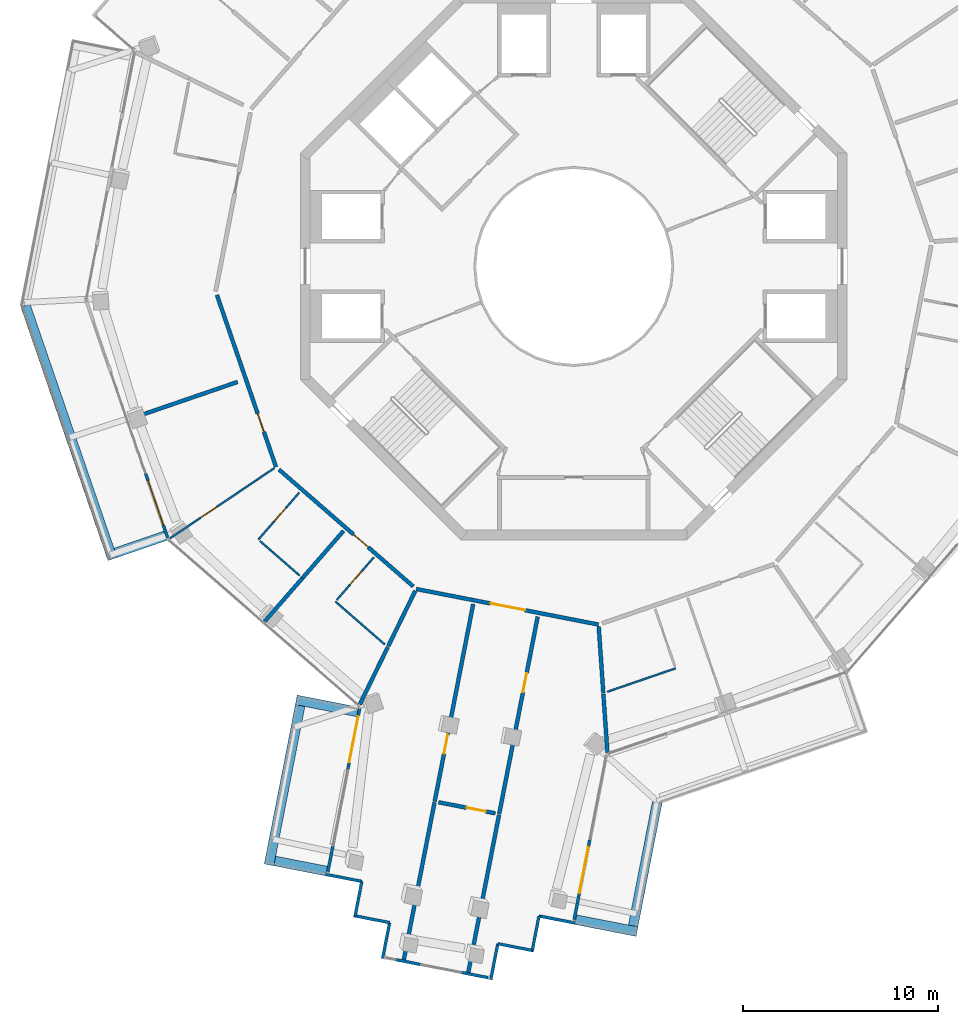
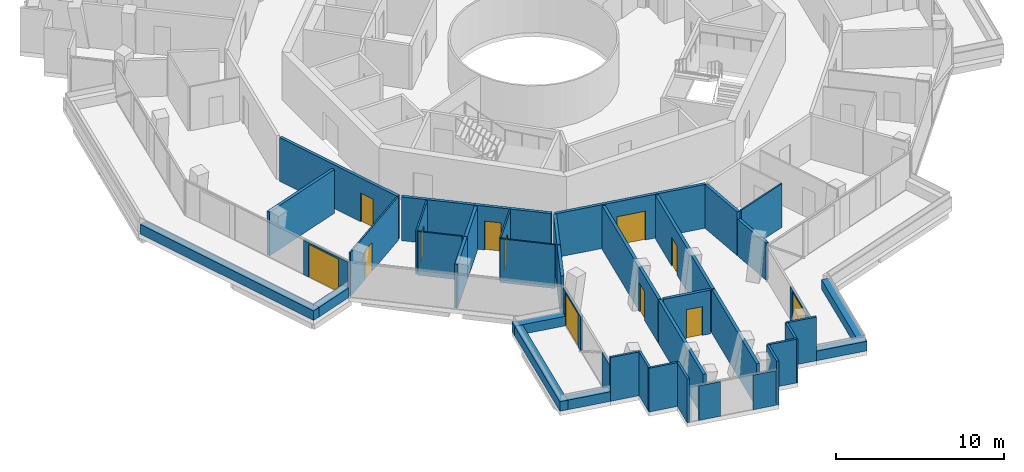
# One storey, part 14 of 22: 42 walls, 12 doors, 12 openings.
"""IFC4 building model written with IfcOpenShell, lengths in metres."""

from ifc_helpers import new_model, si_unit, direction, frame, frame_2d, origin, place, context, subcontext, project, spatial, rectangle, extrude, material, layer, layer_set, type_object, element, fill, save


model = new_model("IFC4")

# Units and contexts
model_context = context("Model", 3, precision=1e-05, world=origin(), true_north=direction((0.0, 1.0)))
body_context = subcontext(model_context, "Body", "Model", "MODEL_VIEW")
ifc_project = project(units=[si_unit("LENGTHUNIT", "METRE"), si_unit("AREAUNIT", "SQUARE_METRE"), si_unit("VOLUMEUNIT", "CUBIC_METRE"), si_unit("PLANEANGLEUNIT", "RADIAN"), si_unit("MASSUNIT", "GRAM", prefix="KILO")], contexts=[model_context])

# Site, building, storey
site_placement = place(None, origin())
site = spatial("IfcSite", under=ifc_project, at=site_placement, CompositionType="ELEMENT")
building_placement = place(site_placement, origin())
building = spatial("IfcBuilding", under=site, at=building_placement, Name="Verdalira Terraces Hotel", CompositionType="ELEMENT")
storey_placement = place(building_placement, frame((0.0, 0.0, 234.0)))
storey = spatial("IfcBuildingStorey", under=building, at=storey_placement, Name="L57", CompositionType="ELEMENT", Elevation=234.0)

# Walls
ifc_material_1 = material(Name="Concrete C40", Category="concrete")
ifc_layer_1 = layer(ifc_material_1, 0.5)
ifc_layer_set_1 = layer_set([ifc_layer_1], Name="Balcony planter trough with tree")
wall_type_1 = type_object("IfcWallType", Name="Balcony planter trough with tree", PredefinedType="SOLIDWALL", material=ifc_layer_set_1)
wall_1_placement = place(storey_placement, frame((-28.079102, -2.008545, 0.0), z_axis=(0.0, 0.0, 1.0), x_axis=(0.324897792, -0.945749134, 0.0)))
element("IfcWall", 1, at=wall_1_placement, inside=storey, type_object=wall_type_1, Name="Balcony planter", PredefinedType="SOLIDWALL", context=body_context, shape_type="SweptSolid", body=[
    extrude(rectangle(XDim=13.723633, YDim=0.5, at=frame_2d((6.861816, 0.0))), origin(), (0.0, 0.0, 1.0), 0.699951),
])
wall_2_placement = place(storey_placement, frame((-23.465088, -14.669922, 0.0), z_axis=(0.0, 0.0, 1.0), x_axis=(0.945739598, 0.324925551, 0.0)))
element("IfcWall", 2, at=wall_2_placement, inside=storey, type_object=wall_type_1, Name="Balcony planter", PredefinedType="SOLIDWALL", context=body_context, shape_type="SweptSolid", body=[
    extrude(rectangle(XDim=2.698975, YDim=0.5, at=frame_2d((1.349609, 0.0))), origin(), (0.0, 0.0, 1.0), 0.699951),
])
wall_3_placement = place(storey_placement, frame((-11.073975, -22.809814, 0.0), z_axis=(0.0, 0.0, 1.0), x_axis=(-0.981494441, 0.191490634, 0.0)))
element("IfcWall", 3, at=wall_3_placement, inside=storey, type_object=wall_type_1, Name="Balcony planter", PredefinedType="SOLIDWALL", context=body_context, shape_type="SweptSolid", body=[
    extrude(rectangle(XDim=3.19873, YDim=0.5, at=frame_2d((1.599365, 0.0))), origin(), (0.0, 0.0, 1.0), 0.699951),
])
wall_4_placement = place(storey_placement, frame((-14.016113, -22.490479, 0.0), z_axis=(0.0, 0.0, 1.0), x_axis=(-0.191513122, -0.981490053, 0.0)))
element("IfcWall", 4, at=wall_4_placement, inside=storey, type_object=wall_type_1, Name="Balcony planter", PredefinedType="SOLIDWALL", context=body_context, shape_type="SweptSolid", body=[
    extrude(rectangle(XDim=8.306641, YDim=0.5, at=frame_2d((4.15332, 0.0))), origin(), (0.0, 0.0, 1.0), 0.699951),
])
wall_5_placement = place(storey_placement, frame((-15.313721, -30.445801, 0.0), z_axis=(0.0, 0.0, 1.0), x_axis=(0.981495153, -0.191486982, 0.0)))
element("IfcWall", 5, at=wall_5_placement, inside=storey, type_object=wall_type_1, Name="Balcony planter", PredefinedType="SOLIDWALL", context=body_context, shape_type="SweptSolid", body=[
    extrude(rectangle(XDim=2.699219, YDim=0.5, at=frame_2d((1.349609, 0.0))), origin(), (0.0, 0.0, 1.0), 0.699951),
])
wall_6_placement = place(storey_placement, frame((0.096924, -33.452393, 0.0), z_axis=(0.0, 0.0, 1.0), x_axis=(0.981480094, -0.191564155, 0.0)))
element("IfcWall", 6, at=wall_6_placement, inside=storey, type_object=wall_type_1, Name="Balcony planter", PredefinedType="SOLIDWALL", context=body_context, shape_type="SweptSolid", body=[
    extrude(rectangle(XDim=3.198975, YDim=0.5, at=frame_2d((1.599609, 0.0))), origin(), (0.0, 0.0, 1.0), 0.699951),
])
wall_7_placement = place(storey_placement, frame((3.039062, -33.771729, 0.0), z_axis=(0.0, 0.0, 1.0), x_axis=(0.191490821, 0.981494404, 0.0)))
element("IfcWall", 7, at=wall_7_placement, inside=storey, type_object=wall_type_1, Name="Balcony planter", PredefinedType="SOLIDWALL", context=body_context, shape_type="SweptSolid", body=[
    extrude(rectangle(XDim=6.458984, YDim=0.5, at=frame_2d((3.229492, 0.0))), origin(), (0.0, 0.0, 1.0), 0.699951),
])

# Wall, opening, door
ifc_material_2 = material(Name="Moisture-resistant gypsum board partition")
ifc_layer_2 = layer(ifc_material_2, 0.10009765625)
ifc_layer_set_2 = layer_set([ifc_layer_2], Name="Bathroom partition 100 mm")
wall_type_2 = type_object("IfcWallType", Name="Bathroom partition 100 mm", PredefinedType="PARTITIONING", material=ifc_layer_set_2)
wall_8_placement = place(storey_placement, frame((-15.334717, -10.327881, 0.0), z_axis=(0.0, 0.0, 1.0), x_axis=(-0.829425163, -0.558617847, 0.0)))
wall_8 = element("IfcWall", 8, at=wall_8_placement, inside=storey, type_object=wall_type_2, Name="Bathroom partition", PredefinedType="PARTITIONING", context=body_context, shape_type="SweptSolid", body=[
    extrude(rectangle(XDim=6.475586, YDim=0.100098, at=frame_2d((3.237793, 0.0))), origin(), (0.0, 0.0, 1.0), 3.189941),
])
opening_1_placement = place(wall_8_placement, frame((3.550049, 0.0, 0.0)))
opening_1 = element("IfcOpeningElement", 9, at=opening_1_placement, cuts=wall_8, Name="Opening L57-107", PredefinedType="OPENING", context=body_context, shape_type="SweptSolid", body=[
    extrude(rectangle(XDim=1.0, YDim=2.100098, at=frame_2d((0.5, 1.050049))), frame((0.0, 0.060059, 0.0), z_axis=(0.0, -1.0, 0.0), x_axis=(1.0, 0.0, 0.0)), (0.0, 0.0, 1.0), 0.120117),
])
ifc_material_3 = material(Name="Timber door", Category="wood")
door_type_1 = type_object("IfcDoorType", Name="Suite internal door 1000 x 2100", OperationType="NOTDEFINED", PredefinedType="DOOR", material=ifc_material_3)
door_1_placement = place(opening_1_placement, origin())
door_1 = element("IfcDoor", 10, at=door_1_placement, inside=storey, type_object=door_type_1, Name="Suite internal door 5703", OperationType="SINGLE_SWING_LEFT", OverallHeight=2.10009765625, OverallWidth=1.0, PredefinedType="DOOR", context=body_context, shape_type="SweptSolid", body=[
    extrude(rectangle(XDim=1.0, YDim=2.100098, at=frame_2d((0.5, 1.050049))), frame((0.0, 0.024902, 0.0), z_axis=(0.0, -1.0, 0.0), x_axis=(1.0, 0.0, 0.0)), (0.0, 0.0, 1.0), 0.050049),
])
fill(opening_1, door_1)

wall_9_placement = place(storey_placement, frame((-14.053955, -11.575195, 0.0), z_axis=(0.0, 0.0, 1.0), x_axis=(-0.656552612, -0.754280232, 0.0)))
wall_9 = element("IfcWall", 11, at=wall_9_placement, inside=storey, type_object=wall_type_2, Name="Bathroom partition", PredefinedType="PARTITIONING", context=body_context, shape_type="SweptSolid", body=[
    extrude(rectangle(XDim=3.200195, YDim=0.100098, at=frame_2d((1.600098, 0.0))), origin(), (0.0, 0.0, 1.0), 3.189941),
])
opening_2_placement = place(wall_9_placement, frame((1.050049, 0.0, 0.0)))
opening_2 = element("IfcOpeningElement", 12, at=opening_2_placement, cuts=wall_9, Name="Opening L57-108", PredefinedType="OPENING", context=body_context, shape_type="SweptSolid", body=[
    extrude(rectangle(XDim=0.899902, YDim=2.100098, at=frame_2d((0.449951, 1.050049))), frame((0.0, 0.060059, 0.0), z_axis=(0.0, -1.0, 0.0), x_axis=(1.0, 0.0, 0.0)), (0.0, 0.0, 1.0), 0.120117),
])
ifc_material_4 = material(Name="Timber door", Category="wood")
door_type_2 = type_object("IfcDoorType", Name="Bathroom door 900 x 2100", OperationType="NOTDEFINED", PredefinedType="DOOR", material=ifc_material_4)
door_2_placement = place(opening_2_placement, origin())
door_2 = element("IfcDoor", 13, at=door_2_placement, inside=storey, type_object=door_type_2, Name="Bathroom door 5703", OperationType="SINGLE_SWING_RIGHT", OverallHeight=2.10009765625, OverallWidth=0.89990234375, PredefinedType="DOOR", context=body_context, shape_type="SweptSolid", body=[
    extrude(rectangle(XDim=0.899902, YDim=2.100098, at=frame_2d((0.449951, 1.050049))), frame((0.0, 0.024902, 0.0), z_axis=(0.0, -1.0, 0.0), x_axis=(1.0, 0.0, 0.0)), (0.0, 0.0, 1.0), 0.050049),
])
fill(opening_2, door_2)

# Wall
wall_10_placement = place(storey_placement, frame((-16.07959, -14.054688, 0.0), z_axis=(0.0, 0.0, 1.0), x_axis=(0.754249155, -0.656588313, 0.0)))
element("IfcWall", 14, at=wall_10_placement, inside=storey, type_object=wall_type_2, Name="Bathroom partition", PredefinedType="PARTITIONING", context=body_context, shape_type="SweptSolid", body=[
    extrude(rectangle(XDim=2.699951, YDim=0.100098, at=frame_2d((1.350098, 0.0))), origin(), (0.0, 0.0, 1.0), 3.189941),
])

# Wall, opening, door
wall_11_placement = place(storey_placement, frame((-10.23877, -14.896484, 0.0), z_axis=(0.0, 0.0, 1.0), x_axis=(-0.65654754, -0.754284646, 0.0)))
wall_11 = element("IfcWall", 15, at=wall_11_placement, inside=storey, type_object=wall_type_2, Name="Bathroom partition", PredefinedType="PARTITIONING", context=body_context, shape_type="SweptSolid", body=[
    extrude(rectangle(XDim=2.900146, YDim=0.100098, at=frame_2d((1.450195, 0.0))), origin(), (0.0, 0.0, 1.0), 3.189941),
])
opening_3_placement = place(wall_11_placement, frame((0.949951, 0.0, 0.0)))
opening_3 = element("IfcOpeningElement", 16, at=opening_3_placement, cuts=wall_11, Name="Opening L57-110", PredefinedType="OPENING", context=body_context, shape_type="SweptSolid", body=[
    extrude(rectangle(XDim=0.899902, YDim=2.100098, at=frame_2d((0.449951, 1.050049))), frame((0.0, 0.060059, 0.0), z_axis=(0.0, -1.0, 0.0), x_axis=(1.0, 0.0, 0.0)), (0.0, 0.0, 1.0), 0.120117),
])
door_3_placement = place(opening_3_placement, origin())
door_3 = element("IfcDoor", 17, at=door_3_placement, inside=storey, type_object=door_type_2, Name="Bathroom door 5704", OperationType="SINGLE_SWING_RIGHT", OverallHeight=2.10009765625, OverallWidth=0.89990234375, PredefinedType="DOOR", context=body_context, shape_type="SweptSolid", body=[
    extrude(rectangle(XDim=0.899902, YDim=2.100098, at=frame_2d((0.449951, 1.050049))), frame((0.0, 0.024902, 0.0), z_axis=(0.0, -1.0, 0.0), x_axis=(1.0, 0.0, 0.0)), (0.0, 0.0, 1.0), 0.050049),
])
fill(opening_3, door_3)

# Walls
wall_12_placement = place(storey_placement, frame((-9.681396, -19.359131, 0.0), z_axis=(0.0, 0.0, 1.0), x_axis=(-0.754239897, 0.656598948, 0.0)))
element("IfcWall", 18, at=wall_12_placement, inside=storey, type_object=wall_type_2, Name="Bathroom partition", PredefinedType="PARTITIONING", context=body_context, shape_type="SweptSolid", body=[
    extrude(rectangle(XDim=3.350586, YDim=0.100098, at=frame_2d((1.675293, 0.0))), origin(), (0.0, 0.0, 1.0), 3.189941),
])
wall_13_placement = place(storey_placement, frame((1.708496, -21.785156, 0.0), z_axis=(0.0, 0.0, 1.0), x_axis=(0.945756863, 0.324875293, 0.0)))
element("IfcWall", 19, at=wall_13_placement, inside=storey, type_object=wall_type_2, Name="Bathroom partition", PredefinedType="PARTITIONING", context=body_context, shape_type="SweptSolid", body=[
    extrude(rectangle(XDim=3.704102, YDim=0.100098, at=frame_2d((1.852051, 0.0))), origin(), (0.0, 0.0, 1.0), 3.189941),
])
ifc_material_5 = material(Name="Fire-rated gypsum board wall")
ifc_layer_3 = layer(ifc_material_5, 0.199951171875)
ifc_layer_set_3 = layer_set([ifc_layer_3], Name="Demising wall 200 mm")
wall_type_3 = type_object("IfcWallType", Name="Demising wall 200 mm", PredefinedType="SOLIDWALL", material=ifc_layer_set_3)
wall_14_placement = place(storey_placement, frame((-17.218018, -5.915039, 0.0), z_axis=(0.0, 0.0, 1.0), x_axis=(-0.945735464, -0.324937582, 0.0)))
element("IfcWall", 20, at=wall_14_placement, inside=storey, type_object=wall_type_3, Name="Demising wall", PredefinedType="SOLIDWALL", context=body_context, shape_type="SweptSolid", body=[
    extrude(rectangle(XDim=5.902588, YDim=0.199951, at=frame_2d((2.951172, 0.0))), origin(), (0.0, 0.0, 1.0), 3.189941),
])
wall_15_placement = place(storey_placement, frame((-13.892334, -15.95874, 0.0), z_axis=(0.0, 0.0, 1.0), x_axis=(-0.656586393, -0.754250826, 0.0)))
element("IfcWall", 21, at=wall_15_placement, inside=storey, type_object=wall_type_3, Name="Demising wall", PredefinedType="SOLIDWALL", context=body_context, shape_type="SweptSolid", body=[
    extrude(rectangle(XDim=2.949707, YDim=0.199951, at=frame_2d((1.474854, 0.0))), origin(), (0.0, 0.0, 1.0), 3.189941),
])
wall_16_placement = place(storey_placement, frame((-11.79126, -13.545166, 0.0), z_axis=(0.0, 0.0, 1.0), x_axis=(-0.656590394, -0.754247343, 0.0)))
element("IfcWall", 22, at=wall_16_placement, inside=storey, type_object=wall_type_3, Name="Demising wall", PredefinedType="SOLIDWALL", context=body_context, shape_type="SweptSolid", body=[
    extrude(rectangle(XDim=3.199951, YDim=0.199951, at=frame_2d((1.600098, 0.0))), origin(), (0.0, 0.0, 1.0), 3.189941),
])
wall_17_placement = place(storey_placement, frame((-10.959229, -22.429932, 0.0), z_axis=(0.0, 0.0, 1.0), x_axis=(0.438978354, 0.898497638, 0.0)))
element("IfcWall", 23, at=wall_17_placement, inside=storey, type_object=wall_type_3, Name="Demising wall", PredefinedType="SOLIDWALL", context=body_context, shape_type="SweptSolid", body=[
    extrude(rectangle(XDim=3.268555, YDim=0.199951, at=frame_2d((1.634277, 0.0))), origin(), (0.0, 0.0, 1.0), 3.189941),
])
wall_18_placement = place(storey_placement, frame((-9.50415, -19.451904, 0.0), z_axis=(0.0, 0.0, 1.0), x_axis=(0.439039755, 0.898467636, 0.0)))
element("IfcWall", 24, at=wall_18_placement, inside=storey, type_object=wall_type_3, Name="Demising wall", PredefinedType="SOLIDWALL", context=body_context, shape_type="SweptSolid", body=[
    extrude(rectangle(XDim=3.161377, YDim=0.199951, at=frame_2d((1.580566, 0.0))), origin(), (0.0, 0.0, 1.0), 3.189941),
])
wall_19_placement = place(storey_placement, frame((-7.132324, -27.448486, 0.0), z_axis=(0.0, 0.0, 1.0), x_axis=(-0.191509661, -0.981490728, 0.0)))
element("IfcWall", 25, at=wall_19_placement, inside=storey, type_object=wall_type_3, Name="Demising wall", PredefinedType="SOLIDWALL", context=body_context, shape_type="SweptSolid", body=[
    extrude(rectangle(XDim=8.208496, YDim=0.199951, at=frame_2d((4.104248, 0.0))), origin(), (0.0, 0.0, 1.0), 3.189941),
])

# Wall, opening, door
wall_20_placement = place(storey_placement, frame((-7.123535, -27.40332, 0.0), z_axis=(0.0, 0.0, 1.0), x_axis=(0.191483632, 0.981495807, 0.0)))
wall_20 = element("IfcWall", 26, at=wall_20_placement, inside=storey, type_object=wall_type_3, Name="Demising wall", PredefinedType="SOLIDWALL", context=body_context, shape_type="SweptSolid", body=[
    extrude(rectangle(XDim=10.302002, YDim=0.199951, at=frame_2d((5.150879, 0.0))), origin(), (0.0, 0.0, 1.0), 3.189941),
])
opening_4_placement = place(wall_20_placement, frame((2.5, 0.0, 0.0)))
opening_4 = element("IfcOpeningElement", 27, at=opening_4_placement, cuts=wall_20, Name="Opening L57-112", PredefinedType="OPENING", context=body_context, shape_type="SweptSolid", body=[
    extrude(rectangle(XDim=1.0, YDim=2.100098, at=frame_2d((0.5, 1.050049))), frame((0.0, 0.109863, 0.0), z_axis=(0.0, -1.0, 0.0), x_axis=(1.0, 0.0, 0.0)), (0.0, 0.0, 1.0), 0.219971),
])
ifc_material_6 = material(Name="Timber fire door", Category="wood")
door_type_3 = type_object("IfcDoorType", Name="Public room door 1000 x 2100", OperationType="NOTDEFINED", PredefinedType="DOOR", material=ifc_material_6)
door_4_placement = place(opening_4_placement, origin())
door_4 = element("IfcDoor", 28, at=door_4_placement, inside=storey, type_object=door_type_3, Name="Public room door 5705", OperationType="SINGLE_SWING_LEFT", OverallHeight=2.10009765625, OverallWidth=1.0, PredefinedType="DOOR", context=body_context, shape_type="SweptSolid", body=[
    extrude(rectangle(XDim=1.0, YDim=2.100098, at=frame_2d((0.5, 1.050049))), frame((0.0, 0.024902, 0.0), z_axis=(0.0, -1.0, 0.0), x_axis=(1.0, 0.0, 0.0)), (0.0, 0.0, 1.0), 0.050049),
])
fill(opening_4, door_4)

wall_21_placement = place(storey_placement, frame((-4.016846, -28.007324, 0.0), z_axis=(0.0, 0.0, 1.0), x_axis=(-0.981503802, 0.191442646, 0.0)))
wall_21 = element("IfcWall", 29, at=wall_21_placement, inside=storey, type_object=wall_type_3, Name="Demising wall", PredefinedType="SOLIDWALL", context=body_context, shape_type="SweptSolid", body=[
    extrude(rectangle(XDim=2.965088, YDim=0.199951, at=frame_2d((1.482422, 0.0))), origin(), (0.0, 0.0, 1.0), 3.189941),
])
opening_5_placement = place(wall_21_placement, frame((0.5, 0.0, 0.0)))
opening_5 = element("IfcOpeningElement", 30, at=opening_5_placement, cuts=wall_21, Name="Opening L57-114", PredefinedType="OPENING", context=body_context, shape_type="SweptSolid", body=[
    extrude(rectangle(XDim=1.0, YDim=2.100098, at=frame_2d((0.5, 1.050049))), frame((0.0, 0.109863, 0.0), z_axis=(0.0, -1.0, 0.0), x_axis=(1.0, 0.0, 0.0)), (0.0, 0.0, 1.0), 0.219971),
])
door_5_placement = place(opening_5_placement, origin())
door_5 = element("IfcDoor", 31, at=door_5_placement, inside=storey, type_object=door_type_3, Name="Public room door 5705", OperationType="SINGLE_SWING_LEFT", OverallHeight=2.10009765625, OverallWidth=1.0, PredefinedType="DOOR", context=body_context, shape_type="SweptSolid", body=[
    extrude(rectangle(XDim=1.0, YDim=2.100098, at=frame_2d((0.5, 1.050049))), frame((0.0, 0.024902, 0.0), z_axis=(0.0, -1.0, 0.0), x_axis=(1.0, 0.0, 0.0)), (0.0, 0.0, 1.0), 0.050049),
])
fill(opening_5, door_5)

# Wall
wall_22_placement = place(storey_placement, frame((-5.401611, -36.149414, 0.0), z_axis=(0.0, 0.0, 1.0), x_axis=(0.191515251, 0.981489638, 0.0)))
element("IfcWall", 32, at=wall_22_placement, inside=storey, type_object=wall_type_3, Name="Demising wall", PredefinedType="SOLIDWALL", context=body_context, shape_type="SweptSolid", body=[
    extrude(rectangle(XDim=8.208252, YDim=0.199951, at=frame_2d((4.104004, 0.0))), origin(), (0.0, 0.0, 1.0), 3.189941),
])

# Wall, opening, door
wall_23_placement = place(storey_placement, frame((-1.848145, -17.936279, 0.0), z_axis=(0.0, 0.0, 1.0), x_axis=(-0.191483632, -0.981495807, 0.0)))
wall_23 = element("IfcWall", 33, at=wall_23_placement, inside=storey, type_object=wall_type_3, Name="Demising wall", PredefinedType="SOLIDWALL", context=body_context, shape_type="SweptSolid", body=[
    extrude(rectangle(XDim=10.302002, YDim=0.199951, at=frame_2d((5.150879, 0.0))), origin(), (0.0, 0.0, 1.0), 3.189941),
])
opening_6_placement = place(wall_23_placement, frame((2.949951, 0.0, 0.0)))
opening_6 = element("IfcOpeningElement", 34, at=opening_6_placement, cuts=wall_23, Name="Opening L57-113", PredefinedType="OPENING", context=body_context, shape_type="SweptSolid", body=[
    extrude(rectangle(XDim=1.0, YDim=2.100098, at=frame_2d((0.5, 1.050049))), frame((0.0, 0.109863, 0.0), z_axis=(0.0, -1.0, 0.0), x_axis=(1.0, 0.0, 0.0)), (0.0, 0.0, 1.0), 0.219971),
])
door_6_placement = place(opening_6_placement, origin())
door_6 = element("IfcDoor", 35, at=door_6_placement, inside=storey, type_object=door_type_3, Name="Public room door 5705", OperationType="SINGLE_SWING_LEFT", OverallHeight=2.10009765625, OverallWidth=1.0, PredefinedType="DOOR", context=body_context, shape_type="SweptSolid", body=[
    extrude(rectangle(XDim=1.0, YDim=2.100098, at=frame_2d((0.5, 1.050049))), frame((0.0, 0.024902, 0.0), z_axis=(0.0, -1.0, 0.0), x_axis=(1.0, 0.0, 0.0)), (0.0, 0.0, 1.0), 0.050049),
])
fill(opening_6, door_6)

# Walls
wall_24_placement = place(storey_placement, frame((1.276855, -18.444092, 0.0), z_axis=(0.0, 0.0, 1.0), x_axis=(0.069059441, -0.997612547, 0.0)))
element("IfcWall", 36, at=wall_24_placement, inside=storey, type_object=wall_type_3, Name="Demising wall", PredefinedType="SOLIDWALL", context=body_context, shape_type="SweptSolid", body=[
    extrude(rectangle(XDim=3.418457, YDim=0.199951, at=frame_2d((1.709229, 0.0))), origin(), (0.0, 0.0, 1.0), 3.189941),
])
ifc_material_7 = material(Name="Fire-rated gypsum board wall")
ifc_layer_4 = layer(ifc_material_7, 0.199951171875)
ifc_layer_set_4 = layer_set([ifc_layer_4], Name="Demising wall 200 mm to beam soffit")
wall_type_4 = type_object("IfcWallType", Name="Demising wall 200 mm to beam soffit", PredefinedType="SOLIDWALL", material=ifc_layer_set_4)
wall_25_placement = place(storey_placement, frame((1.516113, -21.900146, 0.0), z_axis=(0.0, 0.0, 1.0), x_axis=(0.069069179, -0.997611873, 0.0)))
element("IfcWall", 37, at=wall_25_placement, inside=storey, type_object=wall_type_4, Name="Demising wall", PredefinedType="SOLIDWALL", context=body_context, shape_type="SweptSolid", body=[
    extrude(rectangle(XDim=3.011475, YDim=0.199951, at=frame_2d((1.505859, 0.0))), origin(), (0.0, 0.0, 1.0), 2.689941),
])

# Wall, opening, door
ifc_material_8 = material(Name="Fire-rated gypsum board wall")
ifc_layer_5 = layer(ifc_material_8, 0.199951171875)
ifc_layer_set_5 = layer_set([ifc_layer_5], Name="Guest corridor wall 200 mm")
wall_type_5 = type_object("IfcWallType", Name="Guest corridor wall 200 mm", PredefinedType="SOLIDWALL", material=ifc_layer_set_5)
wall_26_placement = place(storey_placement, frame((-15.248779, -10.27002, 0.0), z_axis=(0.0, 0.0, 1.0), x_axis=(-0.324901791, 0.94574776, 0.0)))
wall_26 = element("IfcWall", 38, at=wall_26_placement, inside=storey, type_object=wall_type_5, Name="Guest corridor wall", PredefinedType="SOLIDWALL", context=body_context, shape_type="SweptSolid", body=[
    extrude(rectangle(XDim=9.316162, YDim=0.199951, at=frame_2d((4.658203, 0.0))), origin(), (0.0, 0.0, 1.0), 3.189941),
])
opening_7_placement = place(wall_26_placement, frame((1.899902, 0.0, 0.0)))
opening_7 = element("IfcOpeningElement", 39, at=opening_7_placement, cuts=wall_26, Name="Opening L57-106", PredefinedType="OPENING", context=body_context, shape_type="SweptSolid", body=[
    extrude(rectangle(XDim=1.0, YDim=2.100098, at=frame_2d((0.5, 1.050049))), frame((0.0, 0.109863, 0.0), z_axis=(0.0, -1.0, 0.0), x_axis=(1.0, 0.0, 0.0)), (0.0, 0.0, 1.0), 0.219971),
])
ifc_material_9 = material(Name="Timber fire door", Category="wood")
door_type_4 = type_object("IfcDoorType", Name="Guest entry door 1000 x 2100", OperationType="NOTDEFINED", PredefinedType="DOOR", material=ifc_material_9)
door_7_placement = place(opening_7_placement, origin())
door_7 = element("IfcDoor", 40, at=door_7_placement, inside=storey, type_object=door_type_4, Name="Guest entry door 5703", OperationType="SINGLE_SWING_LEFT", OverallHeight=2.10009765625, OverallWidth=1.0, PredefinedType="DOOR", context=body_context, shape_type="SweptSolid", body=[
    extrude(rectangle(XDim=1.0, YDim=2.100098, at=frame_2d((0.5, 1.050049))), frame((0.0, 0.024902, 0.0), z_axis=(0.0, -1.0, 0.0), x_axis=(1.0, 0.0, 0.0)), (0.0, 0.0, 1.0), 0.050049),
])
fill(opening_7, door_7)

wall_27_placement = place(storey_placement, frame((-8.22168, -16.387207, 0.0), z_axis=(0.0, 0.0, 1.0), x_axis=(-0.754251424, 0.656585706, 0.0)))
wall_27 = element("IfcWall", 41, at=wall_27_placement, inside=storey, type_object=wall_type_5, Name="Guest corridor wall", PredefinedType="SOLIDWALL", context=body_context, shape_type="SweptSolid", body=[
    extrude(rectangle(XDim=9.116699, YDim=0.199951, at=frame_2d((4.55835, 0.0))), origin(), (0.0, 0.0, 1.0), 3.189941),
])
opening_8_placement = place(wall_27_placement, frame((3.050049, 0.0, 0.0)))
opening_8 = element("IfcOpeningElement", 42, at=opening_8_placement, cuts=wall_27, Name="Opening L57-109", PredefinedType="OPENING", context=body_context, shape_type="SweptSolid", body=[
    extrude(rectangle(XDim=1.0, YDim=2.100098, at=frame_2d((0.5, 1.050049))), frame((0.0, 0.109863, 0.0), z_axis=(0.0, -1.0, 0.0), x_axis=(1.0, 0.0, 0.0)), (0.0, 0.0, 1.0), 0.219971),
])
door_8_placement = place(opening_8_placement, origin())
door_8 = element("IfcDoor", 43, at=door_8_placement, inside=storey, type_object=door_type_4, Name="Guest entry door 5704", OperationType="SINGLE_SWING_RIGHT", OverallHeight=2.10009765625, OverallWidth=1.0, PredefinedType="DOOR", context=body_context, shape_type="SweptSolid", body=[
    extrude(rectangle(XDim=1.0, YDim=2.100098, at=frame_2d((0.5, 1.050049))), frame((0.0, 0.024902, 0.0), z_axis=(0.0, -1.0, 0.0), x_axis=(1.0, 0.0, 0.0)), (0.0, 0.0, 1.0), 0.050049),
])
fill(opening_8, door_8)

wall_28_placement = place(storey_placement, frame((1.269775, -18.34082, 0.0), z_axis=(0.0, 0.0, 1.0), x_axis=(-0.981496237, 0.191481427, 0.0)))
wall_28 = element("IfcWall", 44, at=wall_28_placement, inside=storey, type_object=wall_type_5, Name="Guest corridor wall", PredefinedType="SOLIDWALL", context=body_context, shape_type="SweptSolid", body=[
    extrude(rectangle(XDim=9.516602, YDim=0.199951, at=frame_2d((4.758301, 0.0))), origin(), (0.0, 0.0, 1.0), 3.189941),
])
opening_9_placement = place(wall_28_placement, frame((3.837646, 0.0, 0.0)))
opening_9 = element("IfcOpeningElement", 45, at=opening_9_placement, cuts=wall_28, Name="Opening L57-111", PredefinedType="OPENING", context=body_context, shape_type="SweptSolid", body=[
    extrude(rectangle(XDim=1.800049, YDim=2.100098, at=frame_2d((0.899902, 1.050049))), frame((0.0, 0.109863, 0.0), z_axis=(0.0, -1.0, 0.0), x_axis=(1.0, 0.0, 0.0)), (0.0, 0.0, 1.0), 0.219971),
])
ifc_material_10 = material(Name="Timber fire door", Category="wood")
door_type_5 = type_object("IfcDoorType", Name="Public room double door 1800 x 2100", OperationType="NOTDEFINED", PredefinedType="DOOR", material=ifc_material_10)
door_9_placement = place(opening_9_placement, origin())
door_9 = element("IfcDoor", 46, at=door_9_placement, inside=storey, type_object=door_type_5, Name="Public room double door 5705", OperationType="DOUBLE_DOOR_SINGLE_SWING", OverallHeight=2.10009765625, OverallWidth=1.800048828125, PredefinedType="DOOR", context=body_context, shape_type="SweptSolid", body=[
    extrude(rectangle(XDim=1.800049, YDim=2.100098, at=frame_2d((0.899902, 1.050049))), frame((0.0, 0.024902, 0.0), z_axis=(0.0, -1.0, 0.0), x_axis=(1.0, 0.0, 0.0)), (0.0, 0.0, 1.0), 0.050049),
])
fill(opening_9, door_9)

# Walls
ifc_material_11 = material(Name="Terracotta cladding", Category="masonry")
ifc_layer_6 = layer(ifc_material_11, 0.14990234375)
ifc_layer_set_6 = layer_set([ifc_layer_6], Name="Terracotta clad wall 150")
wall_type_6 = type_object("IfcWallType", Name="Terracotta clad wall 150", PredefinedType="SOLIDWALL", material=ifc_layer_set_6)
wall_29_placement = place(storey_placement, frame((-12.697021, -31.134521, 0.0), z_axis=(0.0, 0.0, 1.0), x_axis=(0.981486413, -0.191531774, 0.0)))
element("IfcWall", 47, at=wall_29_placement, inside=storey, type_object=wall_type_6, Name="Terracotta cladding wall", PredefinedType="SOLIDWALL", context=body_context, shape_type="SweptSolid", body=[
    extrude(rectangle(XDim=1.875, YDim=0.149902, at=frame_2d((0.9375, 0.0))), origin(), (0.0, 0.0, 1.0), 3.189941),
])
wall_30_placement = place(storey_placement, frame((-10.856689, -31.493652, 0.0), z_axis=(0.0, 0.0, 1.0), x_axis=(-0.191497613, -0.981493079, 0.0)))
element("IfcWall", 48, at=wall_30_placement, inside=storey, type_object=wall_type_6, Name="Terracotta cladding wall", PredefinedType="SOLIDWALL", context=body_context, shape_type="SweptSolid", body=[
    extrude(rectangle(XDim=1.800049, YDim=0.149902, at=frame_2d((0.899902, 0.0))), origin(), (0.0, 0.0, 1.0), 3.189941),
])
for number, where, z_axis, x_axis, name in (
    (49, (-11.275146, -33.246094, 0.0), (0.0, 0.0, 1.0), (0.981510883, -0.191406341, 0.0), "Terracotta cladding wall"),
    (50, (-9.434814, -33.60498, 0.0), (0.0, 0.0, 1.0), (-0.191531774, -0.981486413, 0.0), "Terracotta cladding wall"),
    (51, (-4.248291, -36.527344, 0.0), (0.0, 0.0, 1.0), (0.191406341, 0.981510883, 0.0), "Terracotta cladding wall"),
):
    element("IfcWall", number, at=place(storey_placement, frame(where, z_axis=z_axis, x_axis=x_axis)), inside=storey, type_object=wall_type_6, Name=name, PredefinedType="SOLIDWALL", context=body_context, shape_type="SweptSolid", body=[
        extrude(rectangle(XDim=1.875, YDim=0.149902, at=frame_2d((0.9375, 0.0))), origin(), (0.0, 0.0, 1.0), 3.189941),
    ])
wall_31_placement = place(storey_placement, frame((-3.889404, -34.687012, 0.0), z_axis=(0.0, 0.0, 1.0), x_axis=(0.981493079, -0.191497613, 0.0)))
element("IfcWall", 52, at=wall_31_placement, inside=storey, type_object=wall_type_6, Name="Terracotta cladding wall", PredefinedType="SOLIDWALL", context=body_context, shape_type="SweptSolid", body=[
    extrude(rectangle(XDim=1.800049, YDim=0.149902, at=frame_2d((0.899902, 0.0))), origin(), (0.0, 0.0, 1.0), 3.189941),
])
wall_32_placement = place(storey_placement, frame((-2.136963, -35.105225, 0.0), z_axis=(0.0, 0.0, 1.0), x_axis=(0.191430806, 0.981506111, 0.0)))
element("IfcWall", 53, at=wall_32_placement, inside=storey, type_object=wall_type_6, Name="Terracotta cladding wall", PredefinedType="SOLIDWALL", context=body_context, shape_type="SweptSolid", body=[
    extrude(rectangle(XDim=1.874756, YDim=0.149902, at=frame_2d((0.9375, 0.0))), origin(), (0.0, 0.0, 1.0), 3.189941),
])
wall_33_placement = place(storey_placement, frame((-1.778076, -33.265137, 0.0), z_axis=(0.0, 0.0, 1.0), x_axis=(0.981510883, -0.191406341, 0.0)))
element("IfcWall", 54, at=wall_33_placement, inside=storey, type_object=wall_type_6, Name="Terracotta cladding wall", PredefinedType="SOLIDWALL", context=body_context, shape_type="SweptSolid", body=[
    extrude(rectangle(XDim=1.875, YDim=0.149902, at=frame_2d((0.9375, 0.0))), origin(), (0.0, 0.0, 1.0), 3.189941),
])
ifc_material_12 = material(Name="Terracotta cladding", Category="masonry")
ifc_layer_7 = layer(ifc_material_12, 0.14990234375)
ifc_layer_set_7 = layer_set([ifc_layer_7], Name="Terracotta column pier 150")
wall_type_7 = type_object("IfcWallType", Name="Terracotta column pier 150", PredefinedType="SOLIDWALL", material=ifc_layer_set_7)
wall_34_placement = place(storey_placement, frame((-12.331543, -29.652344, 0.0), z_axis=(0.0, 0.0, 1.0), x_axis=(-0.191452156, -0.981501947, 0.0)))
element("IfcWall", 55, at=wall_34_placement, inside=storey, type_object=wall_type_7, Name="Terracotta column pier", PredefinedType="SOLIDWALL", context=body_context, shape_type="SweptSolid", body=[
    extrude(rectangle(XDim=1.379883, YDim=0.149902, at=frame_2d((0.689941, 0.0))), origin(), (0.0, 0.0, 1.0), 2.524902),
])
wall_35_placement = place(storey_placement, frame((-9.126709, -35.499023, 0.0), z_axis=(0.0, 0.0, 1.0), x_axis=(0.981474015, -0.191595296, 0.0)))
element("IfcWall", 56, at=wall_35_placement, inside=storey, type_object=wall_type_7, Name="Terracotta column pier", PredefinedType="SOLIDWALL", context=body_context, shape_type="SweptSolid", body=[
    extrude(rectangle(XDim=1.350586, YDim=0.149902, at=frame_2d((0.675293, 0.0))), origin(), (0.0, 0.0, 1.0), 2.524902),
])
wall_36_placement = place(storey_placement, frame((-5.77002, -36.154053, 0.0), z_axis=(0.0, 0.0, 1.0), x_axis=(0.981489004, -0.191518497, 0.0)))
element("IfcWall", 57, at=wall_36_placement, inside=storey, type_object=wall_type_7, Name="Terracotta column pier", PredefinedType="SOLIDWALL", context=body_context, shape_type="SweptSolid", body=[
    extrude(rectangle(XDim=1.409912, YDim=0.149902, at=frame_2d((0.705078, 0.0))), origin(), (0.0, 0.0, 1.0), 2.524902),
])

# Wall, opening, door
ifc_material_13 = material(Name="Terracotta cladding", Category="masonry")
ifc_layer_8 = layer(ifc_material_13, 0.14990234375)
ifc_layer_set_8 = layer_set([ifc_layer_8], Name="Terracotta door pier 150")
wall_type_8 = type_object("IfcWallType", Name="Terracotta door pier 150", PredefinedType="SOLIDWALL", material=ifc_layer_set_8)
wall_37_placement = place(storey_placement, frame((-21.93042, -10.595947, 0.0), z_axis=(0.0, 0.0, 1.0), x_axis=(0.324888935, -0.945752177, 0.0)))
wall_37 = element("IfcWall", 58, at=wall_37_placement, inside=storey, type_object=wall_type_8, Name="Terracotta door pier", PredefinedType="SOLIDWALL", context=body_context, shape_type="SweptSolid", body=[
    extrude(rectangle(XDim=3.50415, YDim=0.149902, at=frame_2d((1.751953, 0.0))), origin(), (0.0, 0.0, 1.0), 2.524902),
])
opening_10_placement = place(wall_37_placement, frame((0.399902, 0.0, 0.0)))
opening_10 = element("IfcOpeningElement", 59, at=opening_10_placement, cuts=wall_37, Name="Opening L57-B04", PredefinedType="OPENING", context=body_context, shape_type="SweptSolid", body=[
    extrude(rectangle(XDim=2.399902, YDim=2.399902, at=frame_2d((1.199951, 1.199951))), frame((0.0, 0.084961, 0.0), z_axis=(0.0, -1.0, 0.0), x_axis=(1.0, 0.0, 0.0)), (0.0, 0.0, 1.0), 0.169922),
])
ifc_material_14 = material(Name="Clear glass", Category="glass")
door_type_6 = type_object("IfcDoorType", Name="Balcony sliding door 2400x2400", OperationType="NOTDEFINED", PredefinedType="DOOR", material=ifc_material_14)
door_10_placement = place(opening_10_placement, origin())
door_10 = element("IfcDoor", 60, at=door_10_placement, inside=storey, type_object=door_type_6, Name="Balcony sliding door", OperationType="SLIDING_TO_RIGHT", OverallHeight=2.39990234375, OverallWidth=2.39990234375, PredefinedType="DOOR", context=body_context, shape_type="SweptSolid", body=[
    extrude(rectangle(XDim=2.399902, YDim=2.399902, at=frame_2d((1.199951, 1.199951))), frame((0.0, 0.024902, 0.0), z_axis=(0.0, -1.0, 0.0), x_axis=(1.0, 0.0, 0.0)), (0.0, 0.0, 1.0), 0.050049),
])
fill(opening_10, door_10)

wall_38_placement = place(storey_placement, frame((-10.964844, -22.647705, 0.0), z_axis=(0.0, 0.0, 1.0), x_axis=(-0.191492434, -0.981494089, 0.0)))
wall_38 = element("IfcWall", 61, at=wall_38_placement, inside=storey, type_object=wall_type_8, Name="Terracotta door pier", PredefinedType="SOLIDWALL", context=body_context, shape_type="SweptSolid", body=[
    extrude(rectangle(XDim=3.200195, YDim=0.149902, at=frame_2d((1.600098, 0.0))), origin(), (0.0, 0.0, 1.0), 2.524902),
])
opening_11_placement = place(wall_38_placement, frame((0.399902, 0.0, 0.0)))
opening_11 = element("IfcOpeningElement", 62, at=opening_11_placement, cuts=wall_38, Name="Opening L57-B05", PredefinedType="OPENING", context=body_context, shape_type="SweptSolid", body=[
    extrude(rectangle(XDim=2.399902, YDim=2.399902, at=frame_2d((1.199951, 1.199951))), frame((0.0, 0.084961, 0.0), z_axis=(0.0, -1.0, 0.0), x_axis=(1.0, 0.0, 0.0)), (0.0, 0.0, 1.0), 0.169922),
])
door_11_placement = place(opening_11_placement, origin())
door_11 = element("IfcDoor", 63, at=door_11_placement, inside=storey, type_object=door_type_6, Name="Balcony sliding door", OperationType="SLIDING_TO_LEFT", OverallHeight=2.39990234375, OverallWidth=2.39990234375, PredefinedType="DOOR", context=body_context, shape_type="SweptSolid", body=[
    extrude(rectangle(XDim=2.399902, YDim=2.399902, at=frame_2d((1.199951, 1.199951))), frame((0.0, 0.024902, 0.0), z_axis=(0.0, -1.0, 0.0), x_axis=(1.0, 0.0, 0.0)), (0.0, 0.0, 1.0), 0.050049),
])
fill(opening_11, door_11)

wall_39_placement = place(storey_placement, frame((0.016602, -33.467285, 0.0), z_axis=(0.0, 0.0, 1.0), x_axis=(0.191485834, 0.981495377, 0.0)))
wall_39 = element("IfcWall", 64, at=wall_39_placement, inside=storey, type_object=wall_type_8, Name="Terracotta door pier", PredefinedType="SOLIDWALL", context=body_context, shape_type="SweptSolid", body=[
    extrude(rectangle(XDim=4.209961, YDim=0.149902, at=frame_2d((2.10498, 0.0))), origin(), (0.0, 0.0, 1.0), 2.524902),
])
opening_12_placement = place(wall_39_placement, frame((1.409912, 0.0, 0.0)))
opening_12 = element("IfcOpeningElement", 65, at=opening_12_placement, cuts=wall_39, Name="Opening L57-B06", PredefinedType="OPENING", context=body_context, shape_type="SweptSolid", body=[
    extrude(rectangle(XDim=2.399902, YDim=2.399902, at=frame_2d((1.199951, 1.199951))), frame((0.0, 0.084961, 0.0), z_axis=(0.0, -1.0, 0.0), x_axis=(1.0, 0.0, 0.0)), (0.0, 0.0, 1.0), 0.169922),
])
door_12_placement = place(opening_12_placement, origin())
door_12 = element("IfcDoor", 66, at=door_12_placement, inside=storey, type_object=door_type_6, Name="Balcony sliding door", OperationType="SLIDING_TO_LEFT", OverallHeight=2.39990234375, OverallWidth=2.39990234375, PredefinedType="DOOR", context=body_context, shape_type="SweptSolid", body=[
    extrude(rectangle(XDim=2.399902, YDim=2.399902, at=frame_2d((1.199951, 1.199951))), frame((0.0, 0.024902, 0.0), z_axis=(0.0, -1.0, 0.0), x_axis=(1.0, 0.0, 0.0)), (0.0, 0.0, 1.0), 0.050049),
])
fill(opening_12, door_12)

save(model, "model.ifc")
